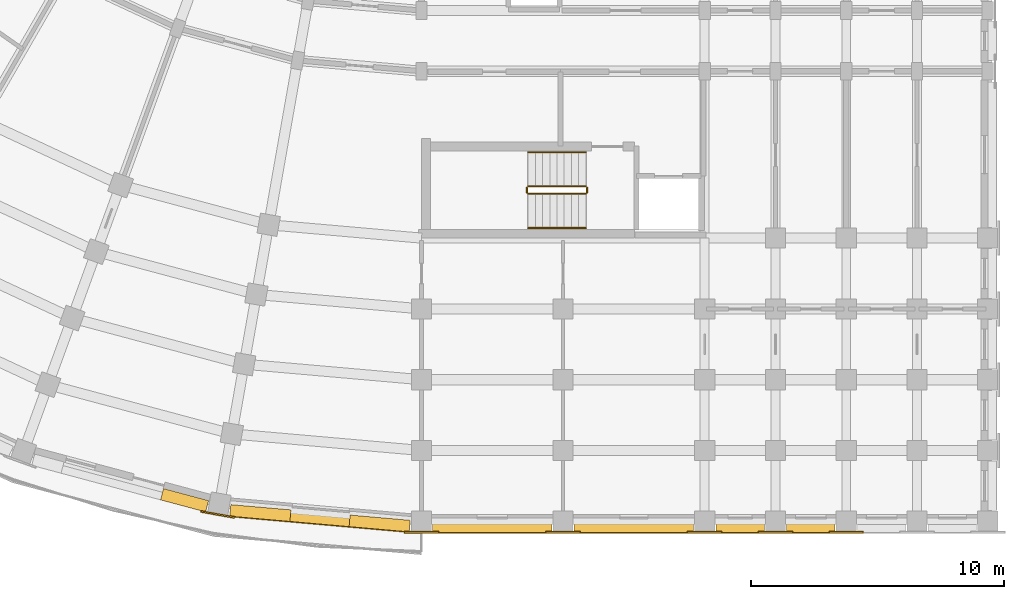
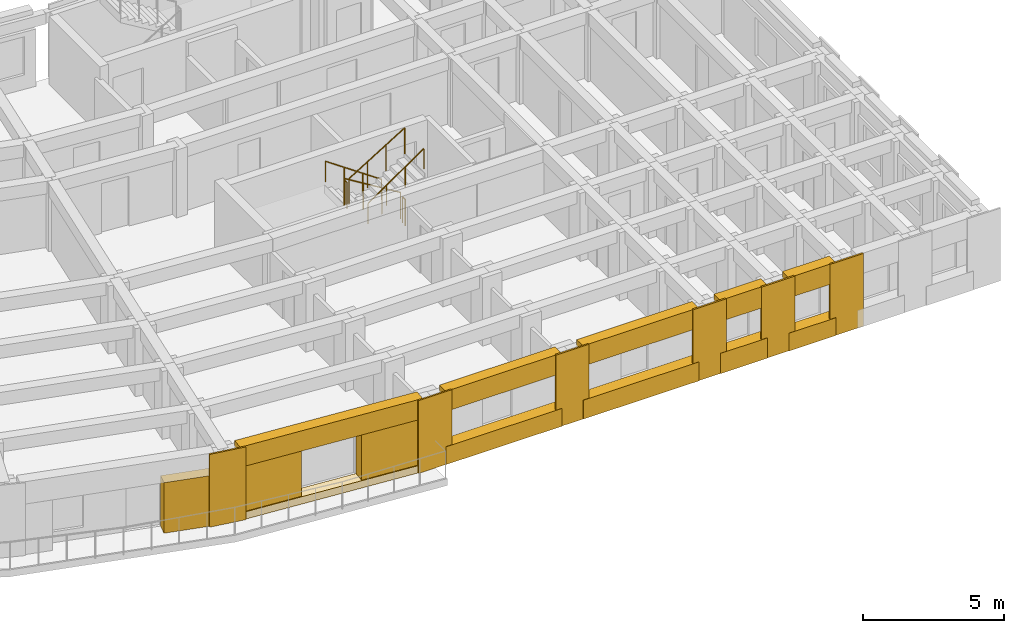
# One storey, part 39 of 54: 19 coverings, 6 railings.
"""IFC4 building model written with IfcOpenShell, lengths in metres."""

from ifc_helpers import new_model, si_unit, direction, frame, origin, origin_2d, place, context, subcontext, project, spatial, polyline, circle, outline, extrude, material, layer, layer_set, type_object, element, save


model = new_model("IFC4")

# Units and contexts
model_context = context("Model", 3, precision=1e-05, world=origin(), true_north=direction((0.0, 1.0)))
body_context = subcontext(model_context, "Body", "Model", "MODEL_VIEW")
ifc_project = project(units=[si_unit("LENGTHUNIT", "METRE"), si_unit("AREAUNIT", "SQUARE_METRE"), si_unit("VOLUMEUNIT", "CUBIC_METRE"), si_unit("PLANEANGLEUNIT", "RADIAN"), si_unit("MASSUNIT", "GRAM", prefix="KILO")], contexts=[model_context])

# Site, building, storey
site_placement = place(None, origin())
site = spatial("IfcSite", under=ifc_project, at=site_placement, CompositionType="ELEMENT")
building_placement = place(site_placement, origin())
building = spatial("IfcBuilding", under=site, at=building_placement, Name="Kiranvali Square Residences", CompositionType="ELEMENT")
storey_placement = place(building_placement, frame((0.0, 0.0, 15.0)))
storey = spatial("IfcBuildingStorey", under=building, at=storey_placement, Name="L04", CompositionType="ELEMENT", Elevation=15.0)

# Coverings
ifc_material_1 = material(Name="Honed Porbandar limestone ashlar facade cladding", Category="masonry")
ifc_layer_1 = layer(ifc_material_1, 0.3798828125)
ifc_layer_set_1 = layer_set([ifc_layer_1], Name="Honed Porbandar limestone ashlar facade cladding")
covering_type_1 = type_object("IfcCoveringType", Name="COV-CLAD-JAMB", PredefinedType="CLADDING", material=ifc_layer_set_1)
covering_1_placement = place(storey_placement, frame((0.0, 0.0, 0.322021484375)))
element("IfcCovering", 1, at=covering_1_placement, inside=storey, type_object=covering_type_1, Name="L04 deep limestone window jamb reveal C-L04-CRV-00.L", PredefinedType="CLADDING", context=body_context, shape_type="SweptSolid", body=[
    extrude(outline(polyline([(47.751708984375, 2.23876953125), (45.37646484375, 2.446533203125), (45.33642578125, 1.98876953125), (47.711669921875, 1.781005859375), (47.751708984375, 2.23876953125)])), origin(), (0.0, 0.0, 1.0), 1.949951171875),
])
covering_2_placement = place(storey_placement, frame((0.0, 0.0, 0.322021484375)))
element("IfcCovering", 2, at=covering_2_placement, inside=storey, type_object=covering_type_1, Name="L04 deep limestone window jamb reveal C-L04-CRV-00.R", PredefinedType="CLADDING", context=body_context, shape_type="SweptSolid", body=[
    extrude(outline(polyline([(43.035400390625, 2.6513671875), (40.660400390625, 2.859130859375), (40.620361328125, 2.4013671875), (42.995361328125, 2.193603515625), (43.035400390625, 2.6513671875)])), origin(), (0.0, 0.0, 1.0), 1.949951171875),
])
covering_3_placement = place(storey_placement, origin())
element("IfcCovering", 3, at=covering_3_placement, inside=storey, type_object=covering_type_1, Name="L04 deep limestone window jamb reveal C-L04-CRV-01.L", PredefinedType="CLADDING", context=body_context, shape_type="SweptSolid", body=[
    extrude(outline(polyline([(39.77734375, 3.014892578125), (37.998779296875, 3.491455078125), (37.8798828125, 3.047607421875), (39.658447265625, 2.571044921875), (39.77734375, 3.014892578125)])), origin(), (0.0, 0.0, 1.0), 2.179931640625),
])
ifc_layer_2 = layer(ifc_material_1, 0.06494140625)
ifc_layer_set_2 = layer_set([ifc_layer_2], Name="Honed Porbandar limestone ashlar facade cladding")
covering_type_2 = type_object("IfcCoveringType", Name="COV-CLAD-PIER", PredefinedType="CLADDING", material=ifc_layer_set_2)
covering_4_placement = place(storey_placement, frame((0.0, 0.0, 0.0048828125)))
element("IfcCovering", 4, at=covering_4_placement, inside=storey, type_object=covering_type_2, Name="L04 Classical limestone corner pilaster CLAD-PR-C-L04-A00", PredefinedType="CLADDING", context=body_context, shape_type="SweptSolid", body=[
    extrude(outline(polyline([(47.52001953125, 1.73193359375), (48.8798828125, 1.73193359375), (48.8798828125, 1.799560546875), (47.52001953125, 1.799560546875), (47.52001953125, 1.73193359375)])), origin(), (0.0, 0.0, 1.0), 3.14013671875),
])
covering_5_placement = place(storey_placement, frame((0.0, 0.0, 0.0048828125)))
element("IfcCovering", 5, at=covering_5_placement, inside=storey, type_object=covering_type_2, Name="L04 Classical limestone corner pilaster CLAD-PR-C-L04-A01", PredefinedType="CLADDING", context=body_context, shape_type="SweptSolid", body=[
    extrude(outline(polyline([(39.461181640625, 2.555908203125), (40.800537109375, 2.31982421875), (40.812255859375, 2.38623046875), (39.472900390625, 2.62255859375), (39.461181640625, 2.555908203125)])), origin(), (0.0, 0.0, 1.0), 3.14013671875),
])
covering_6_placement = place(storey_placement, frame((0.0, 0.0, 0.0048828125)))
element("IfcCovering", 6, at=covering_6_placement, inside=storey, type_object=covering_type_2, Name="L04 Classical limestone pilaster casing CLAD-PR-C-L04-U56", PredefinedType="CLADDING", context=body_context, shape_type="SweptSolid", body=[
    extrude(outline(polyline([(53.1201171875, 1.73193359375), (54.47998046875, 1.73193359375), (54.47998046875, 1.799560546875), (53.1201171875, 1.799560546875), (53.1201171875, 1.73193359375)])), origin(), (0.0, 0.0, 1.0), 3.14013671875),
])
covering_7_placement = place(storey_placement, frame((0.0, 0.0, 0.0048828125)))
element("IfcCovering", 7, at=covering_7_placement, inside=storey, type_object=covering_type_2, Name="L04 Classical limestone pilaster casing CLAD-PR-C-L04-U112", PredefinedType="CLADDING", context=body_context, shape_type="SweptSolid", body=[
    extrude(outline(polyline([(58.719970703125, 1.73193359375), (60.080078125, 1.73193359375), (60.080078125, 1.799560546875), (58.719970703125, 1.799560546875), (58.719970703125, 1.73193359375)])), origin(), (0.0, 0.0, 1.0), 3.14013671875),
])
covering_8_placement = place(storey_placement, frame((0.0, 0.0, 0.0048828125)))
element("IfcCovering", 8, at=covering_8_placement, inside=storey, type_object=covering_type_2, Name="L04 Classical limestone pilaster casing CLAD-PR-C-L04-U140", PredefinedType="CLADDING", context=body_context, shape_type="SweptSolid", body=[
    extrude(outline(polyline([(61.52001953125, 1.73193359375), (62.8798828125, 1.73193359375), (62.8798828125, 1.799560546875), (61.52001953125, 1.799560546875), (61.52001953125, 1.73193359375)])), origin(), (0.0, 0.0, 1.0), 3.14013671875),
])
covering_9_placement = place(storey_placement, frame((0.0, 0.0, 0.0048828125)))
element("IfcCovering", 9, at=covering_9_placement, inside=storey, type_object=covering_type_2, Name="L04 Classical limestone pilaster casing CLAD-PR-C-L04-U167", PredefinedType="CLADDING", context=body_context, shape_type="SweptSolid", body=[
    extrude(outline(polyline([(64.320068359375, 1.73193359375), (65.679931640625, 1.73193359375), (65.679931640625, 1.799560546875), (64.320068359375, 1.799560546875), (64.320068359375, 1.73193359375)])), origin(), (0.0, 0.0, 1.0), 3.14013671875),
])
ifc_layer_3 = layer(ifc_material_1, 0.360107421875)
ifc_layer_set_3 = layer_set([ifc_layer_3], Name="Honed Porbandar limestone ashlar facade cladding")
covering_type_3 = type_object("IfcCoveringType", Name="COV-CLAD-WALL", PredefinedType="CLADDING", material=ifc_layer_set_3)
covering_10_placement = place(storey_placement, frame((0.0, 0.0, 2.27197265625)))
element("IfcCovering", 10, at=covering_10_placement, inside=storey, type_object=covering_type_3, Name="L04 light limestone spandrel lintel C-L04-CRV-00", PredefinedType="CLADDING", context=body_context, shape_type="SweptSolid", body=[
    extrude(outline(polyline([(47.751708984375, 2.23876953125), (40.660400390625, 2.859130859375), (40.620361328125, 2.4013671875), (47.711669921875, 1.781005859375), (47.751708984375, 2.23876953125)])), origin(), (0.0, 0.0, 1.0), 0.873046875),
])
covering_11_placement = place(storey_placement, frame((0.0, 0.0, 0.0048828125)))
element("IfcCovering", 11, at=covering_11_placement, inside=storey, type_object=covering_type_3, Name="L04 limestone window sill apron C-L04-CRV-00", PredefinedType="CLADDING", context=body_context, shape_type="SweptSolid", body=[
    extrude(outline(polyline([(47.751708984375, 2.23876953125), (40.660400390625, 2.859130859375), (40.61767578125, 2.37158203125), (47.708984375, 1.7509765625), (47.751708984375, 2.23876953125)])), origin(), (0.0, 0.0, 1.0), 0.317138671875),
])
covering_12_placement = place(storey_placement, frame((0.0, 0.0, 2.27197265625)))
element("IfcCovering", 12, at=covering_12_placement, inside=storey, type_object=covering_type_3, Name="L04 light limestone spandrel lintel C-L04-A1O-0", PredefinedType="CLADDING", context=body_context, shape_type="SweptSolid", body=[
    extrude(outline(polyline([(48.639892578125, 1.75), (53.360107421875, 1.75), (53.360107421875, 2.199462890625), (48.639892578125, 2.199462890625), (48.639892578125, 1.75)])), origin(), (0.0, 0.0, 1.0), 0.873046875),
])
covering_13_placement = place(storey_placement, frame((0.0, 0.0, 0.0048828125)))
element("IfcCovering", 13, at=covering_13_placement, inside=storey, type_object=covering_type_3, Name="L04 limestone window sill apron C-L04-A1O-0", PredefinedType="CLADDING", context=body_context, shape_type="SweptSolid", body=[
    extrude(outline(polyline([(48.639892578125, 1.719970703125), (53.360107421875, 1.719970703125), (53.360107421875, 2.199462890625), (48.639892578125, 2.199462890625), (48.639892578125, 1.719970703125)])), origin(), (0.0, 0.0, 1.0), 0.76708984375),
])
covering_14_placement = place(storey_placement, frame((0.0, 0.0, 2.27197265625)))
element("IfcCovering", 14, at=covering_14_placement, inside=storey, type_object=covering_type_3, Name="L04 light limestone spandrel lintel C-L04-A1O-1", PredefinedType="CLADDING", context=body_context, shape_type="SweptSolid", body=[
    extrude(outline(polyline([(54.239990234375, 1.75), (58.9599609375, 1.75), (58.9599609375, 2.199462890625), (54.239990234375, 2.199462890625), (54.239990234375, 1.75)])), origin(), (0.0, 0.0, 1.0), 0.873046875),
])
covering_15_placement = place(storey_placement, frame((0.0, 0.0, 0.0048828125)))
element("IfcCovering", 15, at=covering_15_placement, inside=storey, type_object=covering_type_3, Name="L04 limestone window sill apron C-L04-A1O-1", PredefinedType="CLADDING", context=body_context, shape_type="SweptSolid", body=[
    extrude(outline(polyline([(54.239990234375, 1.719970703125), (58.9599609375, 1.719970703125), (58.9599609375, 2.199462890625), (54.239990234375, 2.199462890625), (54.239990234375, 1.719970703125)])), origin(), (0.0, 0.0, 1.0), 0.817138671875),
])
covering_16_placement = place(storey_placement, frame((0.0, 0.0, 2.22998046875)))
element("IfcCovering", 16, at=covering_16_placement, inside=storey, type_object=covering_type_3, Name="L04 light limestone spandrel lintel C-L04-A1O-2", PredefinedType="CLADDING", context=body_context, shape_type="SweptSolid", body=[
    extrude(outline(polyline([(59.840087890625, 1.75), (61.760009765625, 1.75), (61.760009765625, 2.199462890625), (59.840087890625, 2.199462890625), (59.840087890625, 1.75)])), origin(), (0.0, 0.0, 1.0), 0.9150390625),
])
covering_17_placement = place(storey_placement, frame((0.0, 0.0, 0.0048828125)))
element("IfcCovering", 17, at=covering_17_placement, inside=storey, type_object=covering_type_3, Name="L04 limestone window sill apron C-L04-A1O-2", PredefinedType="CLADDING", context=body_context, shape_type="SweptSolid", body=[
    extrude(outline(polyline([(59.840087890625, 1.719970703125), (61.760009765625, 1.719970703125), (61.760009765625, 2.199462890625), (59.840087890625, 2.199462890625), (59.840087890625, 1.719970703125)])), origin(), (0.0, 0.0, 1.0), 0.875),
])
covering_18_placement = place(storey_placement, frame((0.0, 0.0, 2.27197265625)))
element("IfcCovering", 18, at=covering_18_placement, inside=storey, type_object=covering_type_3, Name="L04 light limestone spandrel lintel C-L04-A1O-3", PredefinedType="CLADDING", context=body_context, shape_type="SweptSolid", body=[
    extrude(outline(polyline([(62.639892578125, 1.75), (64.56005859375, 1.75), (64.56005859375, 2.199462890625), (62.639892578125, 2.199462890625), (62.639892578125, 1.75)])), origin(), (0.0, 0.0, 1.0), 0.873046875),
])
covering_19_placement = place(storey_placement, frame((0.0, 0.0, 0.0048828125)))
element("IfcCovering", 19, at=covering_19_placement, inside=storey, type_object=covering_type_3, Name="L04 limestone window sill apron C-L04-A1O-3", PredefinedType="CLADDING", context=body_context, shape_type="SweptSolid", body=[
    extrude(outline(polyline([(62.639892578125, 1.719970703125), (64.56005859375, 1.719970703125), (64.56005859375, 2.199462890625), (62.639892578125, 2.199462890625), (62.639892578125, 1.719970703125)])), origin(), (0.0, 0.0, 1.0), 0.76708984375),
])

# Railings
ifc_material_2 = material(Name="Brushed stainless steel tubular handrail", Category="steel")
railing_type_1 = type_object("IfcRailingType", Name="RL-HANDRAIL-900", PredefinedType="HANDRAIL", material=ifc_material_2)
railing_1_placement = place(storey_placement, frame((54.699951171875, 16.800048828125, 0.175048828125)))
element("IfcRailing", 20, at=railing_1_placement, inside=storey, type_object=railing_type_1, Name="L04 ST-C1 stair handrail 1", PredefinedType="HANDRAIL", context=body_context, shape_type="SweptSolid", body=[
    extrude(circle(Radius=0.02392578125, at=origin_2d()), frame((0.0, 0.0, 0.8759765625), z_axis=(-0.82278801735, 0.0, 0.568348377763), x_axis=(0.0, -1.0, 0.0)), (0.0, 0.0, 1.0), 2.77099609375),
    extrude(circle(Radius=0.02099609375, at=origin_2d()), origin(), (0.0, 0.0, 1.0), 0.851806640625),
    extrude(circle(Radius=0.02099609375, at=origin_2d()), frame((-0.760009765625, 0.0, 0.52490234375)), (0.0, 0.0, 1.0), 0.851806640625),
    extrude(circle(Radius=0.02099609375, at=origin_2d()), frame((-1.52001953125, 0.0, 1.050048828125)), (0.0, 0.0, 1.0), 0.851806640625),
    extrude(circle(Radius=0.02099609375, at=origin_2d()), frame((-2.280029296875, 0.0, 1.574951171875)), (0.0, 0.0, 1.0), 0.851806640625),
])
railing_2_placement = place(storey_placement, frame((52.419921875, 13.800048828125, 1.75)))
element("IfcRailing", 21, at=railing_2_placement, inside=storey, type_object=railing_type_1, Name="L04 ST-C1 stair handrail 2", PredefinedType="HANDRAIL", context=body_context, shape_type="SweptSolid", body=[
    extrude(circle(Radius=0.02392578125, at=origin_2d()), frame((0.0, 0.0, 0.8759765625), z_axis=(0.82278801735, 0.0, 0.568348377763), x_axis=(0.0, 1.0, 0.0)), (0.0, 0.0, 1.0), 2.77099609375),
    extrude(circle(Radius=0.02099609375, at=origin_2d()), origin(), (0.0, 0.0, 1.0), 0.851806640625),
    extrude(circle(Radius=0.02099609375, at=origin_2d()), frame((0.760009765625, 0.0, 0.52490234375)), (0.0, 0.0, 1.0), 0.851806640625),
    extrude(circle(Radius=0.02099609375, at=origin_2d()), frame((1.52001953125, 0.0, 1.050048828125)), (0.0, 0.0, 1.0), 0.851806640625),
    extrude(circle(Radius=0.02099609375, at=origin_2d()), frame((2.280029296875, 0.0, 1.574951171875)), (0.0, 0.0, 1.0), 0.851806640625),
])
ifc_material_3 = material(Name="Powder-coated architectural bronze balustrade", Category="steel")
railing_type_2 = type_object("IfcRailingType", Name="RL-ST-GUARD-1200", PredefinedType="GUARDRAIL", material=ifc_material_3)
railing_3_placement = place(storey_placement, frame((54.699951171875, 15.449951171875, 0.175048828125)))
element("IfcRailing", 22, at=railing_3_placement, inside=storey, type_object=railing_type_2, Name="L04 ST-C1 stair guard 1", PredefinedType="GUARDRAIL", context=body_context, shape_type="SweptSolid", body=[
    extrude(circle(Radius=0.02392578125, at=origin_2d()), frame((0.0, 0.0, 1.1259765625), z_axis=(-0.852190499154, 0.0, 0.523231643875), x_axis=(0.0, -1.0, 0.0)), (0.0, 0.0, 1.0), 2.675537109375),
    extrude(circle(Radius=0.02099609375, at=origin_2d()), origin(), (0.0, 0.0, 1.0), 1.101806640625),
    extrude(circle(Radius=0.02099609375, at=origin_2d()), frame((-0.760009765625, 0.0, 0.466552734375)), (0.0, 0.0, 1.0), 1.101806640625),
    extrude(circle(Radius=0.02099609375, at=origin_2d()), frame((-1.52001953125, 0.0, 0.933349609375)), (0.0, 0.0, 1.0), 1.101806640625),
    extrude(circle(Radius=0.02099609375, at=origin_2d()), frame((-2.280029296875, 0.0, 1.39990234375)), (0.0, 0.0, 1.0), 1.101806640625),
])
railing_4_placement = place(storey_placement, frame((52.3701171875, 15.39990234375, 1.574951171875)))
element("IfcRailing", 23, at=railing_4_placement, inside=storey, type_object=railing_type_2, Name="L04 ST-C1 stair guard 2", PredefinedType="GUARDRAIL", context=body_context, shape_type="SweptSolid", body=[
    extrude(circle(Radius=0.02392578125, at=origin_2d()), frame((0.0, 0.0, 1.1259765625), z_axis=(0.0, -1.0, 0.0), x_axis=(1.0, 0.0, 0.0)), (0.0, 0.0, 1.0), 0.199951171875),
    extrude(circle(Radius=0.02099609375, at=origin_2d()), origin(), (0.0, 0.0, 1.0), 1.101806640625),
    extrude(circle(Radius=0.02099609375, at=origin_2d()), frame((0.0, -0.199951171875, 0.0)), (0.0, 0.0, 1.0), 1.101806640625),
])
railing_5_placement = place(storey_placement, frame((52.419921875, 15.14990234375, 1.75)))
element("IfcRailing", 24, at=railing_5_placement, inside=storey, type_object=railing_type_2, Name="L04 ST-C1 stair guard 3", PredefinedType="GUARDRAIL", context=body_context, shape_type="SweptSolid", body=[
    extrude(circle(Radius=0.02392578125, at=origin_2d()), frame((0.0, 0.0, 1.1259765625), z_axis=(0.852190499154, 0.0, 0.523231643875), x_axis=(0.0, 1.0, 0.0)), (0.0, 0.0, 1.0), 2.675537109375),
    extrude(circle(Radius=0.02099609375, at=origin_2d()), origin(), (0.0, 0.0, 1.0), 1.101806640625),
    extrude(circle(Radius=0.02099609375, at=origin_2d()), frame((0.760009765625, 0.0, 0.466552734375)), (0.0, 0.0, 1.0), 1.101806640625),
    extrude(circle(Radius=0.02099609375, at=origin_2d()), frame((1.52001953125, 0.0, 0.933349609375)), (0.0, 0.0, 1.0), 1.101806640625),
    extrude(circle(Radius=0.02099609375, at=origin_2d()), frame((2.280029296875, 0.0, 1.39990234375)), (0.0, 0.0, 1.0), 1.101806640625),
])
railing_6_placement = place(storey_placement, frame((54.75, 15.39990234375, 0.0)))
element("IfcRailing", 25, at=railing_6_placement, inside=storey, type_object=railing_type_2, Name="L04 ST-C1 stair guard 4", PredefinedType="GUARDRAIL", context=body_context, shape_type="SweptSolid", body=[
    extrude(circle(Radius=0.02392578125, at=origin_2d()), frame((0.0, 0.0, 1.1259765625), z_axis=(0.0, -1.0, 0.0), x_axis=(1.0, 0.0, 0.0)), (0.0, 0.0, 1.0), 0.199951171875),
    extrude(circle(Radius=0.02099609375, at=origin_2d()), origin(), (0.0, 0.0, 1.0), 1.101806640625),
    extrude(circle(Radius=0.02099609375, at=origin_2d()), frame((0.0, -0.199951171875, 0.0)), (0.0, 0.0, 1.0), 1.101806640625),
])

save(model, "model.ifc")
